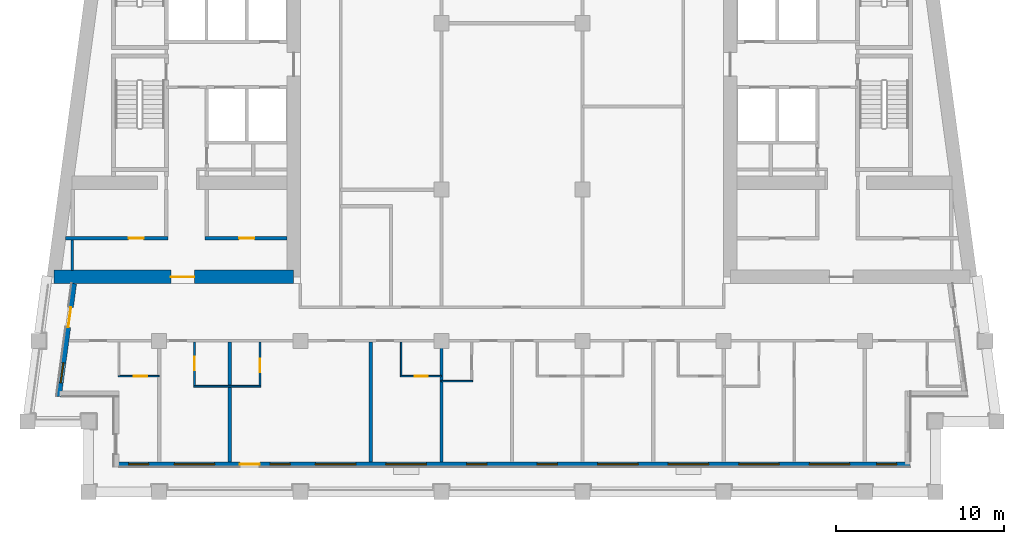
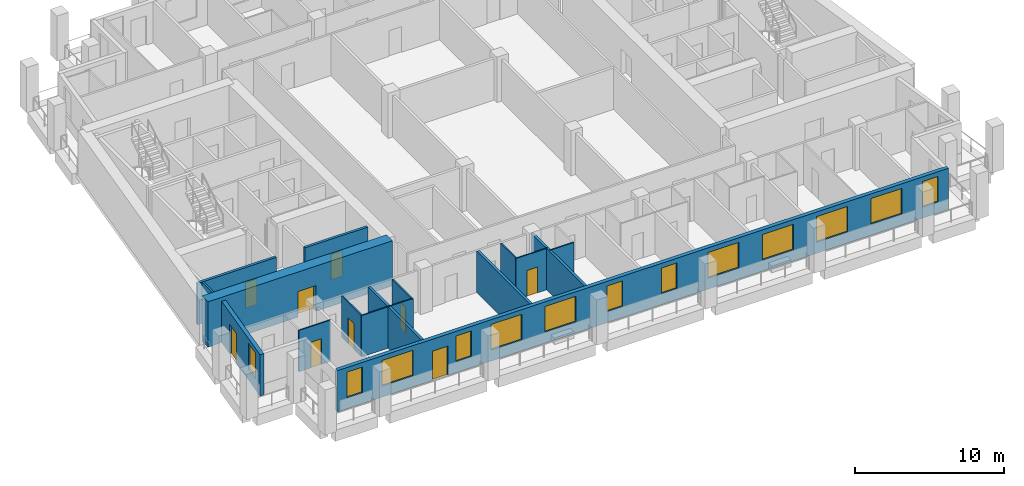
# One storey, part 2 of 12: 16 walls, 13 windows, 9 doors, 22 openings.
"""IFC4 building model written with IfcOpenShell, lengths in metres."""

from ifc_helpers import new_model, si_unit, direction, frame, frame_2d, origin, place, context, subcontext, project, spatial, rectangle, extrude, material, layer, layer_set, type_object, element, fill, save


model = new_model("IFC4")

# Units and contexts
model_context = context("Model", 3, precision=1e-05, world=origin(), true_north=direction((0.0, 1.0)))
body_context = subcontext(model_context, "Body", "Model", "MODEL_VIEW")
ifc_project = project(units=[si_unit("LENGTHUNIT", "METRE"), si_unit("AREAUNIT", "SQUARE_METRE"), si_unit("VOLUMEUNIT", "CUBIC_METRE"), si_unit("PLANEANGLEUNIT", "RADIAN"), si_unit("MASSUNIT", "GRAM", prefix="KILO")], contexts=[model_context])

# Site, building, storey
site_placement = place(None, origin())
site = spatial("IfcSite", under=ifc_project, at=site_placement, CompositionType="ELEMENT")
building_placement = place(site_placement, origin())
building = spatial("IfcBuilding", under=site, at=building_placement, Name="Candeia Pilgrim Tower and Theatre", CompositionType="ELEMENT")
storey_placement = place(building_placement, frame((0.0, 0.0, 213.300048828125)))
storey = spatial("IfcBuildingStorey", under=building, at=storey_placement, Name="L51", CompositionType="ELEMENT", Elevation=213.300048828125)

# Wall, opening, door
ifc_material_1 = material(Name="Concrete C50/60", Category="concrete")
ifc_layer_1 = layer(ifc_material_1, 0.800048828125)
ifc_layer_set_1 = layer_set([ifc_layer_1], Name="Core wall 800 C50/60")
wall_type_1 = type_object("IfcWallType", Name="Core wall 800 C50/60", PredefinedType="SHEAR", material=ifc_layer_set_1)
wall_1_placement = place(storey_placement, frame((100.39990234375, 110.800048828125, 0.0), z_axis=(0.0, 0.0, 1.0), x_axis=(-1.0, 0.0, 0.0)))
wall_1 = element("IfcWall", 1, at=wall_1_placement, inside=storey, type_object=wall_type_1, Name="Core wall W3", PredefinedType="SHEAR", context=body_context, shape_type="SweptSolid", body=[
    extrude(rectangle(XDim=14.273193359375, YDim=0.800048828125, at=frame_2d((7.13671875, 0.0))), origin(), (0.0, 0.0, 1.0), 3.699951171875),
])
opening_1_placement = place(wall_1_placement, frame((5.907958984375, 0.0, 0.0)))
opening_1 = element("IfcOpeningElement", 2, at=opening_1_placement, cuts=wall_1, Name="Opening L51-D053", PredefinedType="OPENING", context=body_context, shape_type="SweptSolid", body=[
    extrude(rectangle(XDim=1.39990234375, YDim=2.10009765625, at=frame_2d((0.699951171875, 1.050048828125))), frame((0.0, 0.41015625, 0.0), z_axis=(0.0, -1.0, 0.0), x_axis=(1.0, 0.0, 0.0)), (0.0, 0.0, 1.0), 0.820068359375),
])
ifc_material_2 = material(Name="Steel fire door set", Category="steel")
door_type_1 = type_object("IfcDoorType", Name="D-1400-FD60", OperationType="NOTDEFINED", PredefinedType="DOOR", material=ifc_material_2)
door_1_placement = place(opening_1_placement, origin())
door_1 = element("IfcDoor", 3, at=door_1_placement, inside=storey, type_object=door_type_1, Name="Door L51-D053", OperationType="SINGLE_SWING_RIGHT", OverallHeight=2.10009765625, OverallWidth=1.39990234375, PredefinedType="DOOR", context=body_context, shape_type="SweptSolid", body=[
    extrude(rectangle(XDim=1.39990234375, YDim=2.10009765625, at=frame_2d((0.699951171875, 1.050048828125))), frame((0.0, 0.02490234375, 0.0), z_axis=(0.0, -1.0, 0.0), x_axis=(1.0, 0.0, 0.0)), (0.0, 0.0, 1.0), 0.050048828125),
])
fill(opening_1, door_1)

# Wall, openings, door, windows
ifc_material_3 = material(Name="Ceramic block masonry", Category="masonry")
ifc_layer_2 = layer(ifc_material_3, 0.300048828125)
ifc_layer_set_2 = layer_set([ifc_layer_2], Name="EW1 glazing-line wall 300")
wall_type_2 = type_object("IfcWallType", Name="EW1 glazing-line wall 300", PredefinedType="SOLIDWALL", material=ifc_layer_set_2)
wall_2_placement = place(storey_placement, frame((89.85009765625, 99.64990234375, 0.0), z_axis=(0.0, 0.0, 1.0), x_axis=(1.0, 0.0, 0.0)))
wall_2 = element("IfcWall", 4, at=wall_2_placement, inside=storey, type_object=wall_type_2, Name="External wall L51-0.0", PredefinedType="SOLIDWALL", context=body_context, shape_type="SweptSolid", body=[
    extrude(rectangle(XDim=47.25, YDim=0.300048828125, at=frame_2d((23.625, 0.0))), origin(), (0.0, 0.0, 1.0), 3.3798828125),
])
opening_2_placement = place(wall_2_placement, frame((0.72509765625, 0.0, 0.89990234375)))
opening_2 = element("IfcOpeningElement", 5, at=opening_2_placement, cuts=wall_2, Name="Opening W-B", PredefinedType="OPENING", context=body_context, shape_type="SweptSolid", body=[
    extrude(rectangle(XDim=1.199951171875, YDim=2.10009765625, at=frame_2d((0.60009765625, 1.050048828125))), frame((0.0, 0.16015625, 0.0), z_axis=(0.0, -1.0, 0.0), x_axis=(1.0, 0.0, 0.0)), (0.0, 0.0, 1.0), 0.320068359375),
])
opening_3_placement = place(wall_2_placement, frame((3.449951171875, 0.0, 0.89990234375)))
opening_3 = element("IfcOpeningElement", 6, at=opening_3_placement, cuts=wall_2, Name="Opening W-A", PredefinedType="OPENING", context=body_context, shape_type="SweptSolid", body=[
    extrude(rectangle(XDim=2.39990234375, YDim=2.10009765625, at=frame_2d((1.199951171875, 1.050048828125))), frame((0.0, 0.16015625, 0.0), z_axis=(0.0, -1.0, 0.0), x_axis=(1.0, 0.0, 0.0)), (0.0, 0.0, 1.0), 0.320068359375),
])
opening_4_placement = place(wall_2_placement, frame((7.35009765625, 0.0, 0.0)))
opening_4 = element("IfcOpeningElement", 7, at=opening_4_placement, cuts=wall_2, Name="Opening L51-ED483", PredefinedType="OPENING", context=body_context, shape_type="SweptSolid", body=[
    extrude(rectangle(XDim=1.199951171875, YDim=2.39990234375, at=frame_2d((0.60009765625, 1.199951171875))), frame((0.0, 0.16015625, 0.0), z_axis=(0.0, -1.0, 0.0), x_axis=(1.0, 0.0, 0.0)), (0.0, 0.0, 1.0), 0.320068359375),
])
opening_5_placement = place(wall_2_placement, frame((9.14990234375, 0.0, 0.89990234375)))
opening_5 = element("IfcOpeningElement", 8, at=opening_5_placement, cuts=wall_2, Name="Opening W-B", PredefinedType="OPENING", context=body_context, shape_type="SweptSolid", body=[
    extrude(rectangle(XDim=1.199951171875, YDim=2.10009765625, at=frame_2d((0.60009765625, 1.050048828125))), frame((0.0, 0.16015625, 0.0), z_axis=(0.0, -1.0, 0.0), x_axis=(1.0, 0.0, 0.0)), (0.0, 0.0, 1.0), 0.320068359375),
])
opening_6_placement = place(wall_2_placement, frame((11.85009765625, 0.0, 0.89990234375)))
opening_6 = element("IfcOpeningElement", 9, at=opening_6_placement, cuts=wall_2, Name="Opening W-A", PredefinedType="OPENING", context=body_context, shape_type="SweptSolid", body=[
    extrude(rectangle(XDim=2.39990234375, YDim=2.10009765625, at=frame_2d((1.199951171875, 1.050048828125))), frame((0.0, 0.16015625, 0.0), z_axis=(0.0, -1.0, 0.0), x_axis=(1.0, 0.0, 0.0)), (0.0, 0.0, 1.0), 0.320068359375),
])
opening_7_placement = place(wall_2_placement, frame((16.050048828125, 0.0, 0.89990234375)))
opening_7 = element("IfcOpeningElement", 10, at=opening_7_placement, cuts=wall_2, Name="Opening W-A", PredefinedType="OPENING", context=body_context, shape_type="SweptSolid", body=[
    extrude(rectangle(XDim=2.39990234375, YDim=2.10009765625, at=frame_2d((1.199951171875, 1.050048828125))), frame((0.0, 0.16015625, 0.0), z_axis=(0.0, -1.0, 0.0), x_axis=(1.0, 0.0, 0.0)), (0.0, 0.0, 1.0), 0.320068359375),
])
opening_8_placement = place(wall_2_placement, frame((20.85009765625, 0.0, 0.89990234375)))
opening_8 = element("IfcOpeningElement", 11, at=opening_8_placement, cuts=wall_2, Name="Opening W-B", PredefinedType="OPENING", context=body_context, shape_type="SweptSolid", body=[
    extrude(rectangle(XDim=1.199951171875, YDim=2.10009765625, at=frame_2d((0.60009765625, 1.050048828125))), frame((0.0, 0.16015625, 0.0), z_axis=(0.0, -1.0, 0.0), x_axis=(1.0, 0.0, 0.0)), (0.0, 0.0, 1.0), 0.320068359375),
])
opening_9_placement = place(wall_2_placement, frame((25.050048828125, 0.0, 0.89990234375)))
opening_9 = element("IfcOpeningElement", 12, at=opening_9_placement, cuts=wall_2, Name="Opening W-B", PredefinedType="OPENING", context=body_context, shape_type="SweptSolid", body=[
    extrude(rectangle(XDim=1.199951171875, YDim=2.10009765625, at=frame_2d((0.60009765625, 1.050048828125))), frame((0.0, 0.16015625, 0.0), z_axis=(0.0, -1.0, 0.0), x_axis=(1.0, 0.0, 0.0)), (0.0, 0.0, 1.0), 0.320068359375),
])
opening_10_placement = place(wall_2_placement, frame((28.64990234375, 0.0, 0.89990234375)))
opening_10 = element("IfcOpeningElement", 13, at=opening_10_placement, cuts=wall_2, Name="Opening W-A", PredefinedType="OPENING", context=body_context, shape_type="SweptSolid", body=[
    extrude(rectangle(XDim=2.39990234375, YDim=2.10009765625, at=frame_2d((1.199951171875, 1.050048828125))), frame((0.0, 0.16015625, 0.0), z_axis=(0.0, -1.0, 0.0), x_axis=(1.0, 0.0, 0.0)), (0.0, 0.0, 1.0), 0.320068359375),
])
opening_11_placement = place(wall_2_placement, frame((32.85009765625, 0.0, 0.89990234375)))
opening_11 = element("IfcOpeningElement", 14, at=opening_11_placement, cuts=wall_2, Name="Opening W-A", PredefinedType="OPENING", context=body_context, shape_type="SweptSolid", body=[
    extrude(rectangle(XDim=2.39990234375, YDim=2.10009765625, at=frame_2d((1.199951171875, 1.050048828125))), frame((0.0, 0.16015625, 0.0), z_axis=(0.0, -1.0, 0.0), x_axis=(1.0, 0.0, 0.0)), (0.0, 0.0, 1.0), 0.320068359375),
])
opening_12_placement = place(wall_2_placement, frame((37.050048828125, 0.0, 0.89990234375)))
opening_12 = element("IfcOpeningElement", 15, at=opening_12_placement, cuts=wall_2, Name="Opening W-A", PredefinedType="OPENING", context=body_context, shape_type="SweptSolid", body=[
    extrude(rectangle(XDim=2.39990234375, YDim=2.10009765625, at=frame_2d((1.199951171875, 1.050048828125))), frame((0.0, 0.16015625, 0.0), z_axis=(0.0, -1.0, 0.0), x_axis=(1.0, 0.0, 0.0)), (0.0, 0.0, 1.0), 0.320068359375),
])
opening_13_placement = place(wall_2_placement, frame((41.25, 0.0, 0.89990234375)))
opening_13 = element("IfcOpeningElement", 16, at=opening_13_placement, cuts=wall_2, Name="Opening W-A", PredefinedType="OPENING", context=body_context, shape_type="SweptSolid", body=[
    extrude(rectangle(XDim=2.39990234375, YDim=2.10009765625, at=frame_2d((1.199951171875, 1.050048828125))), frame((0.0, 0.16015625, 0.0), z_axis=(0.0, -1.0, 0.0), x_axis=(1.0, 0.0, 0.0)), (0.0, 0.0, 1.0), 0.320068359375),
])
opening_14_placement = place(wall_2_placement, frame((45.25, 0.0, 0.89990234375)))
opening_14 = element("IfcOpeningElement", 17, at=opening_14_placement, cuts=wall_2, Name="Opening W-B", PredefinedType="OPENING", context=body_context, shape_type="SweptSolid", body=[
    extrude(rectangle(XDim=1.199951171875, YDim=2.10009765625, at=frame_2d((0.60009765625, 1.050048828125))), frame((0.0, 0.16015625, 0.0), z_axis=(0.0, -1.0, 0.0), x_axis=(1.0, 0.0, 0.0)), (0.0, 0.0, 1.0), 0.320068359375),
])
ifc_material_4 = material(Name="Aluminium framed glazed door", Category="aluminium")
door_type_2 = type_object("IfcDoorType", Name="Loggia door 1200x2400", OperationType="DOUBLE_DOOR_SINGLE_SWING", PredefinedType="DOOR", material=ifc_material_4)
door_2_placement = place(opening_4_placement, origin())
door_2 = element("IfcDoor", 18, at=door_2_placement, inside=storey, type_object=door_type_2, Name="Loggia door L51-ED483", OperationType="DOUBLE_DOOR_SINGLE_SWING", OverallHeight=2.39990234375, OverallWidth=1.199951171875, PredefinedType="DOOR", context=body_context, shape_type="SweptSolid", body=[
    extrude(rectangle(XDim=1.199951171875, YDim=2.39990234375, at=frame_2d((0.60009765625, 1.199951171875))), frame((0.0, 0.02490234375, 0.0), z_axis=(0.0, -1.0, 0.0), x_axis=(1.0, 0.0, 0.0)), (0.0, 0.0, 1.0), 0.050048828125),
])
fill(opening_4, door_2)
ifc_material_5 = material(Name="Aluminium framed double glazing", Category="aluminium")
window_type_1 = type_object("IfcWindowType", Name="W-A window 2400x2100", PartitioningType="DOUBLE_PANEL_VERTICAL", PredefinedType="WINDOW", material=ifc_material_5)
window_1_placement = place(opening_3_placement, origin())
window_1 = element("IfcWindow", 19, at=window_1_placement, inside=storey, type_object=window_type_1, Name="Window W-A L51", OverallHeight=2.10009765625, OverallWidth=2.39990234375, PartitioningType="SINGLE_PANEL", PredefinedType="WINDOW", context=body_context, shape_type="SweptSolid", body=[
    extrude(rectangle(XDim=2.39990234375, YDim=2.10009765625, at=frame_2d((1.199951171875, 1.050048828125))), frame((0.0, 0.030029296875, 0.0), z_axis=(0.0, -1.0, 0.0), x_axis=(1.0, 0.0, 0.0)), (0.0, 0.0, 1.0), 0.06005859375),
])
fill(opening_3, window_1)
window_2_placement = place(opening_6_placement, origin())
window_2 = element("IfcWindow", 20, at=window_2_placement, inside=storey, type_object=window_type_1, Name="Window W-A L51", OverallHeight=2.10009765625, OverallWidth=2.39990234375, PartitioningType="SINGLE_PANEL", PredefinedType="WINDOW", context=body_context, shape_type="SweptSolid", body=[
    extrude(rectangle(XDim=2.39990234375, YDim=2.10009765625, at=frame_2d((1.199951171875, 1.050048828125))), frame((0.0, 0.030029296875, 0.0), z_axis=(0.0, -1.0, 0.0), x_axis=(1.0, 0.0, 0.0)), (0.0, 0.0, 1.0), 0.06005859375),
])
fill(opening_6, window_2)
window_3_placement = place(opening_7_placement, origin())
window_3 = element("IfcWindow", 21, at=window_3_placement, inside=storey, type_object=window_type_1, Name="Window W-A L51", OverallHeight=2.10009765625, OverallWidth=2.39990234375, PartitioningType="SINGLE_PANEL", PredefinedType="WINDOW", context=body_context, shape_type="SweptSolid", body=[
    extrude(rectangle(XDim=2.39990234375, YDim=2.10009765625, at=frame_2d((1.199951171875, 1.050048828125))), frame((0.0, 0.030029296875, 0.0), z_axis=(0.0, -1.0, 0.0), x_axis=(1.0, 0.0, 0.0)), (0.0, 0.0, 1.0), 0.06005859375),
])
fill(opening_7, window_3)
window_4_placement = place(opening_10_placement, origin())
window_4 = element("IfcWindow", 22, at=window_4_placement, inside=storey, type_object=window_type_1, Name="Window W-A L51", OverallHeight=2.10009765625, OverallWidth=2.39990234375, PartitioningType="SINGLE_PANEL", PredefinedType="WINDOW", context=body_context, shape_type="SweptSolid", body=[
    extrude(rectangle(XDim=2.39990234375, YDim=2.10009765625, at=frame_2d((1.199951171875, 1.050048828125))), frame((0.0, 0.030029296875, 0.0), z_axis=(0.0, -1.0, 0.0), x_axis=(1.0, 0.0, 0.0)), (0.0, 0.0, 1.0), 0.06005859375),
])
fill(opening_10, window_4)
window_5_placement = place(opening_11_placement, origin())
window_5 = element("IfcWindow", 23, at=window_5_placement, inside=storey, type_object=window_type_1, Name="Window W-A L51", OverallHeight=2.10009765625, OverallWidth=2.39990234375, PartitioningType="SINGLE_PANEL", PredefinedType="WINDOW", context=body_context, shape_type="SweptSolid", body=[
    extrude(rectangle(XDim=2.39990234375, YDim=2.10009765625, at=frame_2d((1.199951171875, 1.050048828125))), frame((0.0, 0.030029296875, 0.0), z_axis=(0.0, -1.0, 0.0), x_axis=(1.0, 0.0, 0.0)), (0.0, 0.0, 1.0), 0.06005859375),
])
fill(opening_11, window_5)
window_6_placement = place(opening_12_placement, origin())
window_6 = element("IfcWindow", 24, at=window_6_placement, inside=storey, type_object=window_type_1, Name="Window W-A L51", OverallHeight=2.10009765625, OverallWidth=2.39990234375, PartitioningType="SINGLE_PANEL", PredefinedType="WINDOW", context=body_context, shape_type="SweptSolid", body=[
    extrude(rectangle(XDim=2.39990234375, YDim=2.10009765625, at=frame_2d((1.199951171875, 1.050048828125))), frame((0.0, 0.030029296875, 0.0), z_axis=(0.0, -1.0, 0.0), x_axis=(1.0, 0.0, 0.0)), (0.0, 0.0, 1.0), 0.06005859375),
])
fill(opening_12, window_6)
window_7_placement = place(opening_13_placement, origin())
window_7 = element("IfcWindow", 25, at=window_7_placement, inside=storey, type_object=window_type_1, Name="Window W-A L51", OverallHeight=2.10009765625, OverallWidth=2.39990234375, PartitioningType="SINGLE_PANEL", PredefinedType="WINDOW", context=body_context, shape_type="SweptSolid", body=[
    extrude(rectangle(XDim=2.39990234375, YDim=2.10009765625, at=frame_2d((1.199951171875, 1.050048828125))), frame((0.0, 0.030029296875, 0.0), z_axis=(0.0, -1.0, 0.0), x_axis=(1.0, 0.0, 0.0)), (0.0, 0.0, 1.0), 0.06005859375),
])
fill(opening_13, window_7)
window_type_2 = type_object("IfcWindowType", Name="W-B window 1200x2100", PartitioningType="SINGLE_PANEL", PredefinedType="WINDOW", material=ifc_material_5)
window_8_placement = place(opening_2_placement, origin())
window_8 = element("IfcWindow", 26, at=window_8_placement, inside=storey, type_object=window_type_2, Name="Window W-B L51", OverallHeight=2.10009765625, OverallWidth=1.199951171875, PartitioningType="SINGLE_PANEL", PredefinedType="WINDOW", context=body_context, shape_type="SweptSolid", body=[
    extrude(rectangle(XDim=1.199951171875, YDim=2.10009765625, at=frame_2d((0.60009765625, 1.050048828125))), frame((0.0, 0.030029296875, 0.0), z_axis=(0.0, -1.0, 0.0), x_axis=(1.0, 0.0, 0.0)), (0.0, 0.0, 1.0), 0.06005859375),
])
fill(opening_2, window_8)
window_9_placement = place(opening_5_placement, origin())
window_9 = element("IfcWindow", 27, at=window_9_placement, inside=storey, type_object=window_type_2, Name="Window W-B L51", OverallHeight=2.10009765625, OverallWidth=1.199951171875, PartitioningType="SINGLE_PANEL", PredefinedType="WINDOW", context=body_context, shape_type="SweptSolid", body=[
    extrude(rectangle(XDim=1.199951171875, YDim=2.10009765625, at=frame_2d((0.60009765625, 1.050048828125))), frame((0.0, 0.030029296875, 0.0), z_axis=(0.0, -1.0, 0.0), x_axis=(1.0, 0.0, 0.0)), (0.0, 0.0, 1.0), 0.06005859375),
])
fill(opening_5, window_9)
window_10_placement = place(opening_8_placement, origin())
window_10 = element("IfcWindow", 28, at=window_10_placement, inside=storey, type_object=window_type_2, Name="Window W-B L51", OverallHeight=2.10009765625, OverallWidth=1.199951171875, PartitioningType="SINGLE_PANEL", PredefinedType="WINDOW", context=body_context, shape_type="SweptSolid", body=[
    extrude(rectangle(XDim=1.199951171875, YDim=2.10009765625, at=frame_2d((0.60009765625, 1.050048828125))), frame((0.0, 0.030029296875, 0.0), z_axis=(0.0, -1.0, 0.0), x_axis=(1.0, 0.0, 0.0)), (0.0, 0.0, 1.0), 0.06005859375),
])
fill(opening_8, window_10)
window_11_placement = place(opening_9_placement, origin())
window_11 = element("IfcWindow", 29, at=window_11_placement, inside=storey, type_object=window_type_2, Name="Window W-B L51", OverallHeight=2.10009765625, OverallWidth=1.199951171875, PartitioningType="SINGLE_PANEL", PredefinedType="WINDOW", context=body_context, shape_type="SweptSolid", body=[
    extrude(rectangle(XDim=1.199951171875, YDim=2.10009765625, at=frame_2d((0.60009765625, 1.050048828125))), frame((0.0, 0.030029296875, 0.0), z_axis=(0.0, -1.0, 0.0), x_axis=(1.0, 0.0, 0.0)), (0.0, 0.0, 1.0), 0.06005859375),
])
fill(opening_9, window_11)
window_12_placement = place(opening_14_placement, origin())
window_12 = element("IfcWindow", 30, at=window_12_placement, inside=storey, type_object=window_type_2, Name="Window W-B L51", OverallHeight=2.10009765625, OverallWidth=1.199951171875, PartitioningType="SINGLE_PANEL", PredefinedType="WINDOW", context=body_context, shape_type="SweptSolid", body=[
    extrude(rectangle(XDim=1.199951171875, YDim=2.10009765625, at=frame_2d((0.60009765625, 1.050048828125))), frame((0.0, 0.030029296875, 0.0), z_axis=(0.0, -1.0, 0.0), x_axis=(1.0, 0.0, 0.0)), (0.0, 0.0, 1.0), 0.06005859375),
])
fill(opening_14, window_12)

# Wall, openings, door, window
wall_3_placement = place(storey_placement, frame((87.334228515625, 110.39990234375, 0.0), z_axis=(0.0, 0.0, 1.0), x_axis=(-0.133437175554, -0.991057273915, 0.0)))
wall_3 = element("IfcWall", 31, at=wall_3_placement, inside=storey, type_object=wall_type_2, Name="External wall L51-9.1", PredefinedType="SOLIDWALL", context=body_context, shape_type="SweptSolid", body=[
    extrude(rectangle(XDim=6.780517578125, YDim=0.300048828125, at=frame_2d((3.39013671875, 0.0))), origin(), (0.0, 0.0, 1.0), 3.3798828125),
])
opening_15_placement = place(wall_3_placement, frame((1.41796875, 0.0, 0.0)))
opening_15 = element("IfcOpeningElement", 32, at=opening_15_placement, cuts=wall_3, Name="Opening L51-ED491", PredefinedType="OPENING", context=body_context, shape_type="SweptSolid", body=[
    extrude(rectangle(XDim=1.199951171875, YDim=2.39990234375, at=frame_2d((0.60009765625, 1.199951171875))), frame((0.0, 0.16015625, 0.0), z_axis=(0.0, -1.0, 0.0), x_axis=(1.0, 0.0, 0.0)), (0.0, 0.0, 1.0), 0.320068359375),
])
opening_16_placement = place(wall_3_placement, frame((4.75830078125, 0.0, 0.89990234375)))
opening_16 = element("IfcOpeningElement", 33, at=opening_16_placement, cuts=wall_3, Name="Opening W-B", PredefinedType="OPENING", context=body_context, shape_type="SweptSolid", body=[
    extrude(rectangle(XDim=1.199951171875, YDim=2.10009765625, at=frame_2d((0.60009765625, 1.050048828125))), frame((0.0, 0.16015625, 0.0), z_axis=(0.0, -1.0, 0.0), x_axis=(1.0, 0.0, 0.0)), (0.0, 0.0, 1.0), 0.320068359375),
])
door_3_placement = place(opening_15_placement, origin())
door_3 = element("IfcDoor", 34, at=door_3_placement, inside=storey, type_object=door_type_2, Name="Loggia door L51-ED491", OperationType="DOUBLE_DOOR_SINGLE_SWING", OverallHeight=2.39990234375, OverallWidth=1.199951171875, PredefinedType="DOOR", context=body_context, shape_type="SweptSolid", body=[
    extrude(rectangle(XDim=1.199951171875, YDim=2.39990234375, at=frame_2d((0.60009765625, 1.199951171875))), frame((0.0, 0.02490234375, 0.0), z_axis=(0.0, -1.0, 0.0), x_axis=(1.0, 0.0, 0.0)), (0.0, 0.0, 1.0), 0.050048828125),
])
fill(opening_15, door_3)
window_13_placement = place(opening_16_placement, origin())
window_13 = element("IfcWindow", 35, at=window_13_placement, inside=storey, type_object=window_type_2, Name="Window W-B L51", OverallHeight=2.10009765625, OverallWidth=1.199951171875, PartitioningType="SINGLE_PANEL", PredefinedType="WINDOW", context=body_context, shape_type="SweptSolid", body=[
    extrude(rectangle(XDim=1.199951171875, YDim=2.10009765625, at=frame_2d((0.60009765625, 1.050048828125))), frame((0.0, 0.030029296875, 0.0), z_axis=(0.0, -1.0, 0.0), x_axis=(1.0, 0.0, 0.0)), (0.0, 0.0, 1.0), 0.06005859375),
])
fill(opening_16, window_13)

# Walls
ifc_material_6 = material(Name="Gypsum board partition on steel studs", Category="steel")
ifc_layer_3 = layer(ifc_material_6, 0.10009765625)
ifc_layer_set_3 = layer_set([ifc_layer_3], Name="PW-100 room partition")
wall_type_3 = type_object("IfcWallType", Name="PW-100 room partition", PredefinedType="PARTITIONING", material=ifc_layer_set_3)
wall_4_placement = place(storey_placement, frame((94.449951171875, 104.300048828125, 0.0), z_axis=(0.0, 0.0, 1.0), x_axis=(1.0, 0.0, 0.0)))
element("IfcWall", 36, at=wall_4_placement, inside=storey, type_object=wall_type_3, Name="Room partition L51-001", PredefinedType="PARTITIONING", context=body_context, shape_type="SweptSolid", body=[
    extrude(rectangle(XDim=4.0, YDim=0.10009765625, at=frame_2d((2.0, 0.0))), origin(), (0.0, 0.0, 1.0), 3.3798828125),
])
wall_5_placement = place(storey_placement, frame((109.199951171875, 104.60009765625, 0.0), z_axis=(0.0, 0.0, 1.0), x_axis=(1.0, 0.0, 0.0)))
element("IfcWall", 37, at=wall_5_placement, inside=storey, type_object=wall_type_3, Name="Room partition L51-004", PredefinedType="PARTITIONING", context=body_context, shape_type="SweptSolid", body=[
    extrude(rectangle(XDim=1.85009765625, YDim=0.10009765625, at=frame_2d((0.925048828125, 0.0))), origin(), (0.0, 0.0, 1.0), 3.3798828125),
])

# Wall, opening, door
wall_6_placement = place(storey_placement, frame((89.949951171875, 104.89990234375, 0.0), z_axis=(0.0, 0.0, 1.0), x_axis=(1.0, 0.0, 0.0)))
wall_6 = element("IfcWall", 38, at=wall_6_placement, inside=storey, type_object=wall_type_3, Name="Room partition L51-005", PredefinedType="PARTITIONING", context=body_context, shape_type="SweptSolid", body=[
    extrude(rectangle(XDim=2.449951171875, YDim=0.10009765625, at=frame_2d((1.22509765625, 0.0))), origin(), (0.0, 0.0, 1.0), 3.3798828125),
])
opening_17_placement = place(wall_6_placement, frame((0.93994140625, 0.0, 0.0)))
opening_17 = element("IfcOpeningElement", 39, at=opening_17_placement, cuts=wall_6, Name="Opening L51-D014", PredefinedType="OPENING", context=body_context, shape_type="SweptSolid", body=[
    extrude(rectangle(XDim=0.800048828125, YDim=2.10009765625, at=frame_2d((0.39990234375, 1.050048828125))), frame((0.0, 0.06005859375, 0.0), z_axis=(0.0, -1.0, 0.0), x_axis=(1.0, 0.0, 0.0)), (0.0, 0.0, 1.0), 0.1201171875),
])
ifc_material_7 = material(Name="Timber door leaf", Category="wood")
door_type_3 = type_object("IfcDoorType", Name="D-800", OperationType="NOTDEFINED", PredefinedType="DOOR", material=ifc_material_7)
door_4_placement = place(opening_17_placement, origin())
door_4 = element("IfcDoor", 40, at=door_4_placement, inside=storey, type_object=door_type_3, Name="Door L51-D014", OperationType="SINGLE_SWING_LEFT", OverallHeight=2.10009765625, OverallWidth=0.800048828125, PredefinedType="DOOR", context=body_context, shape_type="SweptSolid", body=[
    extrude(rectangle(XDim=0.800048828125, YDim=2.10009765625, at=frame_2d((0.39990234375, 1.050048828125))), frame((0.0, 0.02490234375, 0.0), z_axis=(0.0, -1.0, 0.0), x_axis=(1.0, 0.0, 0.0)), (0.0, 0.0, 1.0), 0.050048828125),
])
fill(opening_17, door_4)

wall_7_placement = place(storey_placement, frame((106.75, 104.89990234375, 0.0), z_axis=(0.0, 0.0, 1.0), x_axis=(1.0, 0.0, 0.0)))
wall_7 = element("IfcWall", 41, at=wall_7_placement, inside=storey, type_object=wall_type_3, Name="Room partition L51-006", PredefinedType="PARTITIONING", context=body_context, shape_type="SweptSolid", body=[
    extrude(rectangle(XDim=2.449951171875, YDim=0.10009765625, at=frame_2d((1.22509765625, 0.0))), origin(), (0.0, 0.0, 1.0), 3.3798828125),
])
opening_18_placement = place(wall_7_placement, frame((0.85009765625, 0.0, 0.0)))
opening_18 = element("IfcOpeningElement", 42, at=opening_18_placement, cuts=wall_7, Name="Opening L51-D020", PredefinedType="OPENING", context=body_context, shape_type="SweptSolid", body=[
    extrude(rectangle(XDim=0.800048828125, YDim=2.10009765625, at=frame_2d((0.39990234375, 1.050048828125))), frame((0.0, 0.06005859375, 0.0), z_axis=(0.0, -1.0, 0.0), x_axis=(1.0, 0.0, 0.0)), (0.0, 0.0, 1.0), 0.1201171875),
])
door_5_placement = place(opening_18_placement, origin())
door_5 = element("IfcDoor", 43, at=door_5_placement, inside=storey, type_object=door_type_3, Name="Door L51-D020", OperationType="SINGLE_SWING_LEFT", OverallHeight=2.10009765625, OverallWidth=0.800048828125, PredefinedType="DOOR", context=body_context, shape_type="SweptSolid", body=[
    extrude(rectangle(XDim=0.800048828125, YDim=2.10009765625, at=frame_2d((0.39990234375, 1.050048828125))), frame((0.0, 0.02490234375, 0.0), z_axis=(0.0, -1.0, 0.0), x_axis=(1.0, 0.0, 0.0)), (0.0, 0.0, 1.0), 0.050048828125),
])
fill(opening_18, door_5)

wall_8_placement = place(storey_placement, frame((94.5, 104.35009765625, 0.0), z_axis=(0.0, 0.0, 1.0), x_axis=(0.0, 1.0, 0.0)))
wall_8 = element("IfcWall", 44, at=wall_8_placement, inside=storey, type_object=wall_type_3, Name="Room partition L51-061", PredefinedType="PARTITIONING", context=body_context, shape_type="SweptSolid", body=[
    extrude(rectangle(XDim=2.574951171875, YDim=0.10009765625, at=frame_2d((1.28759765625, 0.0))), origin(), (0.0, 0.0, 1.0), 3.3798828125),
])
opening_19_placement = place(wall_8_placement, frame((0.89990234375, 0.0, 0.0)))
opening_19 = element("IfcOpeningElement", 45, at=opening_19_placement, cuts=wall_8, Name="Opening L51-D016", PredefinedType="OPENING", context=body_context, shape_type="SweptSolid", body=[
    extrude(rectangle(XDim=0.800048828125, YDim=2.10009765625, at=frame_2d((0.39990234375, 1.050048828125))), frame((0.0, 0.06005859375, 0.0), z_axis=(0.0, -1.0, 0.0), x_axis=(1.0, 0.0, 0.0)), (0.0, 0.0, 1.0), 0.1201171875),
])
door_6_placement = place(opening_19_placement, origin())
door_6 = element("IfcDoor", 46, at=door_6_placement, inside=storey, type_object=door_type_3, Name="Door L51-D016", OperationType="SINGLE_SWING_LEFT", OverallHeight=2.10009765625, OverallWidth=0.800048828125, PredefinedType="DOOR", context=body_context, shape_type="SweptSolid", body=[
    extrude(rectangle(XDim=0.800048828125, YDim=2.10009765625, at=frame_2d((0.39990234375, 1.050048828125))), frame((0.0, 0.02490234375, 0.0), z_axis=(0.0, -1.0, 0.0), x_axis=(1.0, 0.0, 0.0)), (0.0, 0.0, 1.0), 0.050048828125),
])
fill(opening_19, door_6)

wall_9_placement = place(storey_placement, frame((98.39990234375, 104.35009765625, 0.0), z_axis=(0.0, 0.0, 1.0), x_axis=(0.0, 1.0, 0.0)))
wall_9 = element("IfcWall", 47, at=wall_9_placement, inside=storey, type_object=wall_type_3, Name="Room partition L51-071", PredefinedType="PARTITIONING", context=body_context, shape_type="SweptSolid", body=[
    extrude(rectangle(XDim=2.574951171875, YDim=0.10009765625, at=frame_2d((1.28759765625, 0.0))), origin(), (0.0, 0.0, 1.0), 3.3798828125),
])
opening_20_placement = place(wall_9_placement, frame((0.780029296875, 0.0, 0.0)))
opening_20 = element("IfcOpeningElement", 48, at=opening_20_placement, cuts=wall_9, Name="Opening L51-D018", PredefinedType="OPENING", context=body_context, shape_type="SweptSolid", body=[
    extrude(rectangle(XDim=0.800048828125, YDim=2.10009765625, at=frame_2d((0.39990234375, 1.050048828125))), frame((0.0, 0.06005859375, 0.0), z_axis=(0.0, -1.0, 0.0), x_axis=(1.0, 0.0, 0.0)), (0.0, 0.0, 1.0), 0.1201171875),
])
door_7_placement = place(opening_20_placement, origin())
door_7 = element("IfcDoor", 49, at=door_7_placement, inside=storey, type_object=door_type_3, Name="Door L51-D018", OperationType="SINGLE_SWING_LEFT", OverallHeight=2.10009765625, OverallWidth=0.800048828125, PredefinedType="DOOR", context=body_context, shape_type="SweptSolid", body=[
    extrude(rectangle(XDim=0.800048828125, YDim=2.10009765625, at=frame_2d((0.39990234375, 1.050048828125))), frame((0.0, 0.02490234375, 0.0), z_axis=(0.0, -1.0, 0.0), x_axis=(1.0, 0.0, 0.0)), (0.0, 0.0, 1.0), 0.050048828125),
])
fill(opening_20, door_7)

# Walls
wall_10_placement = place(storey_placement, frame((106.800048828125, 104.949951171875, 0.0), z_axis=(0.0, 0.0, 1.0), x_axis=(0.0, 1.0, 0.0)))
element("IfcWall", 50, at=wall_10_placement, inside=storey, type_object=wall_type_3, Name="Room partition L51-079", PredefinedType="PARTITIONING", context=body_context, shape_type="SweptSolid", body=[
    extrude(rectangle(XDim=1.97509765625, YDim=0.10009765625, at=frame_2d((0.987548828125, 0.0))), origin(), (0.0, 0.0, 1.0), 3.3798828125),
])
ifc_layer_4 = layer(ifc_material_6, 0.14990234375)
ifc_layer_set_4 = layer_set([ifc_layer_4], Name="PW-150 lobby wall")
wall_type_4 = type_object("IfcWallType", Name="PW-150 lobby wall", PredefinedType="PARTITIONING", material=ifc_layer_set_4)
wall_11_placement = place(storey_placement, frame((87.22705078125, 111.199951171875, 0.0), z_axis=(0.0, 0.0, 1.0), x_axis=(0.0, 1.0, 0.0)))
element("IfcWall", 51, at=wall_11_placement, inside=storey, type_object=wall_type_4, Name="Lobby wall L51-050", PredefinedType="PARTITIONING", context=body_context, shape_type="SweptSolid", body=[
    extrude(rectangle(XDim=1.800048828125, YDim=0.14990234375, at=frame_2d((0.89990234375, 0.0))), origin(), (0.0, 0.0, 1.0), 3.3798828125),
])
ifc_layer_5 = layer(ifc_material_6, 0.199951171875)
ifc_layer_set_5 = layer_set([ifc_layer_5], Name="PW-200 party wall")
wall_type_5 = type_object("IfcWallType", Name="PW-200 party wall", PredefinedType="PARTITIONING", material=ifc_layer_set_5)
for number, where, z_axis, x_axis, name in (
    (52, (96.60009765625, 99.7900390625, 0.0), (0.0, 0.0, 1.0), (0.0, 1.0, 0.0), "Party wall L51-066"),
    (53, (105.0, 99.7900390625, 0.0), (0.0, 0.0, 1.0), (0.0, 1.0, 0.0), "Party wall L51-076"),
    (54, (109.199951171875, 99.7900390625, 0.0), (0.0, 0.0, 1.0), (0.0, 1.0, 0.0), "Party wall L51-081"),
):
    element("IfcWall", number, at=place(storey_placement, frame(where, z_axis=z_axis, x_axis=x_axis)), inside=storey, type_object=wall_type_5, Name=name, PredefinedType="PARTITIONING", context=body_context, shape_type="SweptSolid", body=[
        extrude(rectangle(XDim=7.135009765625, YDim=0.199951171875, at=frame_2d((3.5673828125, 0.0))), origin(), (0.0, 0.0, 1.0), 3.3798828125),
    ])

# Wall, opening, door
ifc_material_8 = material(Name="Concrete C40/50", Category="concrete")
ifc_layer_6 = layer(ifc_material_8, 0.199951171875)
ifc_layer_set_6 = layer_set([ifc_layer_6], Name="SW-200 shaft wall")
wall_type_6 = type_object("IfcWallType", Name="SW-200 shaft wall", PredefinedType="PARTITIONING", material=ifc_layer_set_6)
wall_12_placement = place(storey_placement, frame((86.809814453125, 113.10009765625, 0.0), z_axis=(0.0, 0.0, 1.0), x_axis=(1.0, 0.0, 0.0)))
wall_12 = element("IfcWall", 55, at=wall_12_placement, inside=storey, type_object=wall_type_6, Name="Shaft wall L51-011", PredefinedType="PARTITIONING", context=body_context, shape_type="SweptSolid", body=[
    extrude(rectangle(XDim=6.1171875, YDim=0.199951171875, at=frame_2d((3.05859375, 0.0))), origin(), (0.0, 0.0, 1.0), 3.3798828125),
])
opening_21_placement = place(wall_12_placement, frame((3.76708984375, 0.0, 0.0)))
opening_21 = element("IfcOpeningElement", 56, at=opening_21_placement, cuts=wall_12, Name="Opening L51-D005", PredefinedType="OPENING", context=body_context, shape_type="SweptSolid", body=[
    extrude(rectangle(XDim=0.89990234375, YDim=2.10009765625, at=frame_2d((0.449951171875, 1.050048828125))), frame((0.0, 0.10986328125, 0.0), z_axis=(0.0, -1.0, 0.0), x_axis=(1.0, 0.0, 0.0)), (0.0, 0.0, 1.0), 0.219970703125),
])
door_type_4 = type_object("IfcDoorType", Name="D-900-FD60", OperationType="NOTDEFINED", PredefinedType="DOOR", material=ifc_material_2)
door_8_placement = place(opening_21_placement, origin())
door_8 = element("IfcDoor", 57, at=door_8_placement, inside=storey, type_object=door_type_4, Name="Door L51-D005", OperationType="SINGLE_SWING_RIGHT", OverallHeight=2.10009765625, OverallWidth=0.89990234375, PredefinedType="DOOR", context=body_context, shape_type="SweptSolid", body=[
    extrude(rectangle(XDim=0.89990234375, YDim=2.10009765625, at=frame_2d((0.449951171875, 1.050048828125))), frame((0.0, 0.02490234375, 0.0), z_axis=(0.0, -1.0, 0.0), x_axis=(1.0, 0.0, 0.0)), (0.0, 0.0, 1.0), 0.050048828125),
])
fill(opening_21, door_8)

wall_13_placement = place(storey_placement, frame((95.126953125, 113.10009765625, 0.0), z_axis=(0.0, 0.0, 1.0), x_axis=(1.0, 0.0, 0.0)))
wall_13 = element("IfcWall", 58, at=wall_13_placement, inside=storey, type_object=wall_type_6, Name="Shaft wall L51-012", PredefinedType="PARTITIONING", context=body_context, shape_type="SweptSolid", body=[
    extrude(rectangle(XDim=4.873046875, YDim=0.199951171875, at=frame_2d((2.4365234375, 0.0))), origin(), (0.0, 0.0, 1.0), 3.3798828125),
])
opening_22_placement = place(wall_13_placement, frame((2.037109375, 0.0, 0.0)))
opening_22 = element("IfcOpeningElement", 59, at=opening_22_placement, cuts=wall_13, Name="Opening L51-D006", PredefinedType="OPENING", context=body_context, shape_type="SweptSolid", body=[
    extrude(rectangle(XDim=0.89990234375, YDim=2.10009765625, at=frame_2d((0.449951171875, 1.050048828125))), frame((0.0, 0.10986328125, 0.0), z_axis=(0.0, -1.0, 0.0), x_axis=(1.0, 0.0, 0.0)), (0.0, 0.0, 1.0), 0.219970703125),
])
door_9_placement = place(opening_22_placement, origin())
door_9 = element("IfcDoor", 60, at=door_9_placement, inside=storey, type_object=door_type_4, Name="Door L51-D006", OperationType="SINGLE_SWING_LEFT", OverallHeight=2.10009765625, OverallWidth=0.89990234375, PredefinedType="DOOR", context=body_context, shape_type="SweptSolid", body=[
    extrude(rectangle(XDim=0.89990234375, YDim=2.10009765625, at=frame_2d((0.449951171875, 1.050048828125))), frame((0.0, 0.02490234375, 0.0), z_axis=(0.0, -1.0, 0.0), x_axis=(1.0, 0.0, 0.0)), (0.0, 0.0, 1.0), 0.050048828125),
])
fill(opening_22, door_9)

save(model, "model.ifc")
